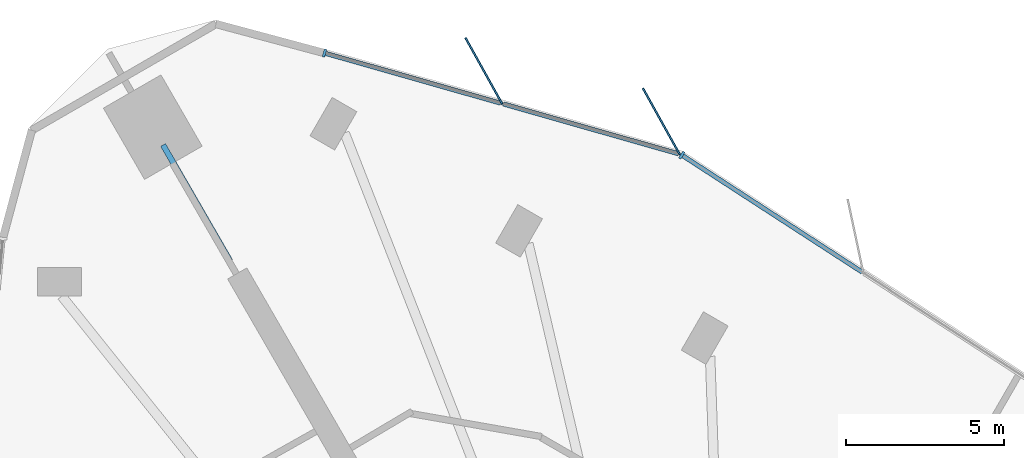
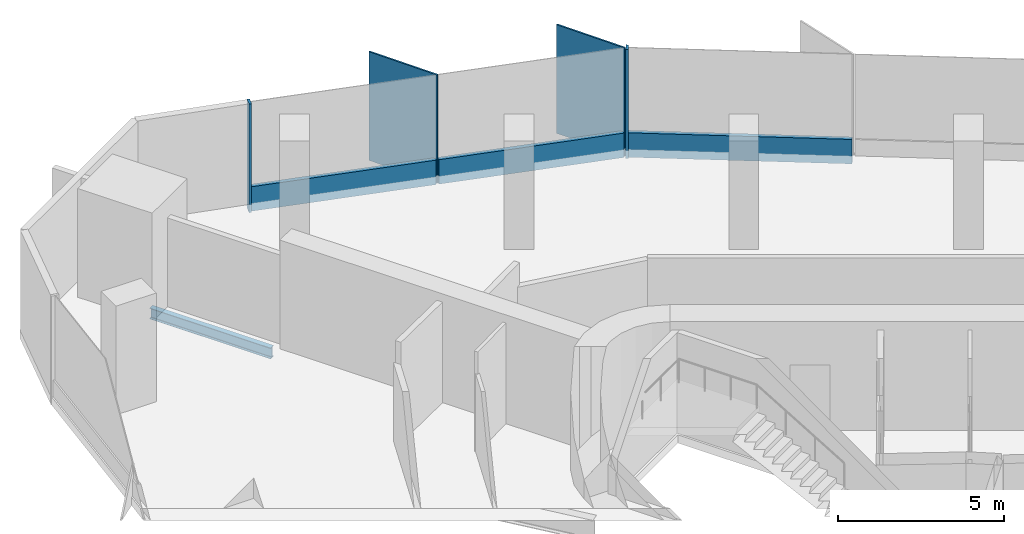
# One storey, part 6 of 14: 7 members, 1 beam, 2 elements without a shape of their own.
"""IFC4 building model written with IfcOpenShell, lengths in metres."""

from ifc_helpers import new_model, si_unit, direction, frame, origin, origin_2d, place, context, subcontext, project, spatial, rectangle, i_section, extrude, material, material_profile, profile_set, type_object, element, aggregate, save


model = new_model("IFC4")

# Units and contexts
model_context = context("Model", 3, precision=1e-05, world=origin(), true_north=direction((0.0, 1.0)))
body_context = subcontext(model_context, "Body", "Model", "MODEL_VIEW")
ifc_project = project(units=[si_unit("LENGTHUNIT", "METRE"), si_unit("AREAUNIT", "SQUARE_METRE"), si_unit("VOLUMEUNIT", "CUBIC_METRE"), si_unit("PLANEANGLEUNIT", "RADIAN"), si_unit("MASSUNIT", "GRAM", prefix="KILO")], contexts=[model_context])

# Site, building, storey
site_placement = place(None, origin())
site = spatial("IfcSite", under=ifc_project, at=site_placement, CompositionType="ELEMENT")
building_placement = place(site_placement, origin())
building = spatial("IfcBuilding", under=site, at=building_placement, Name="Tanit Gate Tower", CompositionType="ELEMENT")
storey_placement = place(building_placement, frame((0.0, 0.0, 253.199951171875)))
storey = spatial("IfcBuildingStorey", under=building, at=storey_placement, Name="L57", CompositionType="ELEMENT", Elevation=253.199951171875)

# Curtain wall, members
ifc_material_1 = material(Name="Aluminium bronze anodised and glass", Category="aluminium")
curtain_wall_type = type_object("IfcCurtainWallType", Name="Curtain wall typical mid", PredefinedType="NOTDEFINED", material=ifc_material_1)
curtain_wall_1_placement = place(storey_placement, origin())
curtain_wall_1 = element("IfcCurtainWall", 1, at=curtain_wall_1_placement, inside=storey, type_object=curtain_wall_type, Name="Curtain wall L57 NE3", PredefinedType="NOTDEFINED")
ifc_material_2 = material(Name="Aluminium bronze anodised", Category="aluminium")
ifc_material_profile_1 = material_profile(ifc_material_2, rectangle(XDim=2.39990234375, YDim=0.055908203125, at=origin_2d()), Name="56x2400 bronze fin mullion")
ifc_profile_set_1 = profile_set([ifc_material_profile_1], Name="Aluminium bronze anodised")
member_type_1 = type_object("IfcMemberType", Name="FIN MULLION 56x2400 bronze", PredefinedType="MULLION", material=ifc_profile_set_1)
member_1_placement = place(storey_placement, frame((-2.39111328125, 32.15283203125, -0.300048828125), z_axis=(0.0, 0.0, 1.0), x_axis=(0.486530745406, -0.873663455671, 0.0)))
member_1 = element("IfcMember", 2, at=member_1_placement, type_object=member_type_1, Name="Fin mullion L57 NE3.1", PredefinedType="MULLION", context=body_context, shape_type="SweptSolid", body=[
    extrude(rectangle(XDim=2.39990234375, YDim=0.055908203125, at=origin_2d()), origin(), (0.0, 0.0, 1.0), 4.0),
])
member_2_placement = place(storey_placement, frame((-7.999267578125, 33.7490234375, -0.300048828125), z_axis=(0.0, 0.0, 1.0), x_axis=(0.486530745406, -0.873663455671, 0.0)))
member_2 = element("IfcMember", 3, at=member_2_placement, type_object=member_type_1, Name="Fin mullion L57 NE3.2", PredefinedType="MULLION", context=body_context, shape_type="SweptSolid", body=[
    extrude(rectangle(XDim=2.39990234375, YDim=0.055908203125, at=origin_2d()), origin(), (0.0, 0.0, 1.0), 4.0),
])

# Curtain wall, member
curtain_wall_2_placement = place(storey_placement, origin())
curtain_wall_2 = element("IfcCurtainWall", 4, at=curtain_wall_2_placement, inside=storey, type_object=curtain_wall_type, Name="Curtain wall L57 NE2", PredefinedType="NOTDEFINED")
ifc_material_3 = material(Name="Aluminium bronze anodised", Category="aluminium")
ifc_material_profile_2 = material_profile(ifc_material_3, rectangle(XDim=0.260009765625, YDim=0.080078125, at=origin_2d()), Name="80x260 bronze mullion")
ifc_profile_set_2 = profile_set([ifc_material_profile_2], Name="Aluminium bronze anodised")
member_type_2 = type_object("IfcMemberType", Name="Mullion 80x260 typical mid", PredefinedType="MULLION", material=ifc_profile_set_2)
member_3_placement = place(storey_placement, frame((-1.74560546875, 31.090087890625, -0.300048828125), z_axis=(0.0, 0.0, 1.0), x_axis=(-0.544243323092, -0.838927413588, 0.0)))
member_3 = element("IfcMember", 5, at=member_3_placement, type_object=member_type_2, Name="Mullion L57 NE2.6", PredefinedType="MULLION", context=body_context, shape_type="SweptSolid", body=[
    extrude(rectangle(XDim=0.260009765625, YDim=0.080078125, at=origin_2d()), origin(), (0.0, 0.0, 1.0), 4.0),
])

# Member
member_4_placement = place(storey_placement, frame((-13.03369140625, 34.315185546875, -0.300048828125), z_axis=(0.0, 0.0, 1.0), x_axis=(-0.273744164647, -0.961802543312, 0.0)))
member_4 = element("IfcMember", 6, at=member_4_placement, type_object=member_type_2, Name="Mullion L57 NE3.3", PredefinedType="MULLION", context=body_context, shape_type="SweptSolid", body=[
    extrude(rectangle(XDim=0.260009765625, YDim=0.080078125, at=origin_2d()), origin(), (0.0, 0.0, 1.0), 4.0),
])

# Beam
ifc_material_4 = material(Name="Steel S355", Category="steel")
ifc_material_profile_3 = material_profile(ifc_material_4, i_section(OverallWidth=0.179931640625, OverallDepth=0.39990234375, WebThickness=0.008544921875, FlangeThickness=0.013427734375, FilletRadius=0.02099609375, at=origin_2d()), Name="IPE 400")
ifc_profile_set_3 = profile_set([ifc_material_profile_3], Name="Steel S355")
beam_type = type_object("IfcBeamType", Name="RADIAL GIRDER IPE 400 S355", PredefinedType="BEAM", material=ifc_profile_set_3)
beam_placement = place(storey_placement, frame((-18.135009765625, 31.41064453125, -0.5), z_axis=(0.500009597358, -0.866019862676, 0.0), x_axis=(0.866019862676, 0.500009597358, 0.0)))
element("IfcBeam", 7, at=beam_placement, inside=storey, type_object=beam_type, Name="RADIAL GIRDER", PredefinedType="BEAM", context=body_context, shape_type="SweptSolid", body=[
    extrude(i_section(OverallWidth=0.179931640625, OverallDepth=0.39990234375, WebThickness=0.008544921875, FlangeThickness=0.013427734375, FilletRadius=0.02099609375, at=origin_2d()), origin(), (0.0, 0.0, 1.0), 4.2197265625),
])

# Member
ifc_material_5 = material(Name="Aluminium bronze anodised", Category="aluminium")
ifc_material_profile_4 = material_profile(ifc_material_5, rectangle(XDim=0.139892578125, YDim=0.89990234375, at=origin_2d()), Name="140x900 bronze transom")
ifc_profile_set_4 = profile_set([ifc_material_profile_4], Name="Aluminium bronze anodised")
member_type_3 = type_object("IfcMemberType", Name="Transom 140x900 typical mid", PredefinedType="USERDEFINED", material=ifc_profile_set_4)
member_5_placement = place(storey_placement, frame((3.952880859375, 27.393310546875, 0.150146484375), z_axis=(-0.838921578545, 0.544252317452, 0.0), x_axis=(-0.544252317452, -0.838921578545, 0.0)))
member_5 = element("IfcMember", 8, at=member_5_placement, type_object=member_type_3, Name="Transom L57 NE2.5", ObjectType="TRANSOM", PredefinedType="USERDEFINED", context=body_context, shape_type="SweptSolid", body=[
    extrude(rectangle(XDim=0.139892578125, YDim=0.89990234375, at=origin_2d()), origin(), (0.0, 0.0, 1.0), 6.75244140625),
])

aggregate(curtain_wall_2, [member_3, member_5])

member_6_placement = place(storey_placement, frame((-1.85595703125, 31.1337890625, 0.150146484375), z_axis=(-0.961805390382, 0.273734161246, 0.0), x_axis=(-0.273734161246, -0.961805390382, 0.0)))
member_6 = element("IfcMember", 9, at=member_6_placement, type_object=member_type_3, Name="Transom L57 NE3.1", ObjectType="TRANSOM", PredefinedType="USERDEFINED", context=body_context, shape_type="SweptSolid", body=[
    extrude(rectangle(XDim=0.139892578125, YDim=0.89990234375, at=origin_2d()), origin(), (0.0, 0.0, 1.0), 5.7509765625),
])

member_7_placement = place(storey_placement, frame((-7.464111328125, 32.72998046875, 0.150146484375), z_axis=(-0.961805390382, 0.273734161246, 0.0), x_axis=(-0.273734161246, -0.961805390382, 0.0)))
member_7 = element("IfcMember", 10, at=member_7_placement, type_object=member_type_3, Name="Transom L57 NE3.2", ObjectType="TRANSOM", PredefinedType="USERDEFINED", context=body_context, shape_type="SweptSolid", body=[
    extrude(rectangle(XDim=0.139892578125, YDim=0.89990234375, at=origin_2d()), origin(), (0.0, 0.0, 1.0), 5.7509765625),
])

aggregate(curtain_wall_1, [member_1, member_2, member_4, member_6, member_7])

save(model, "model.ifc")
